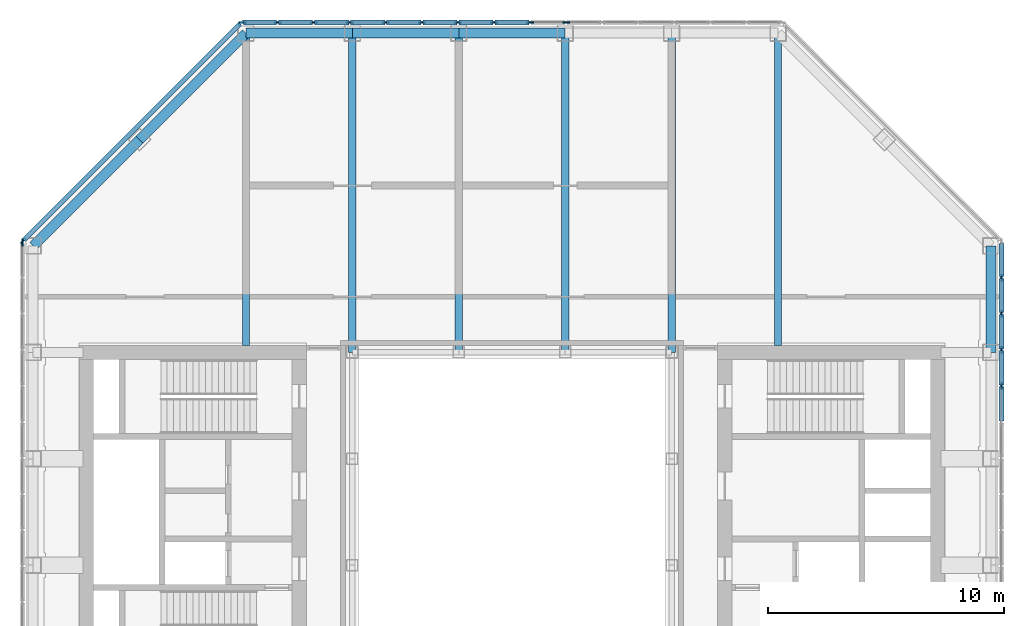
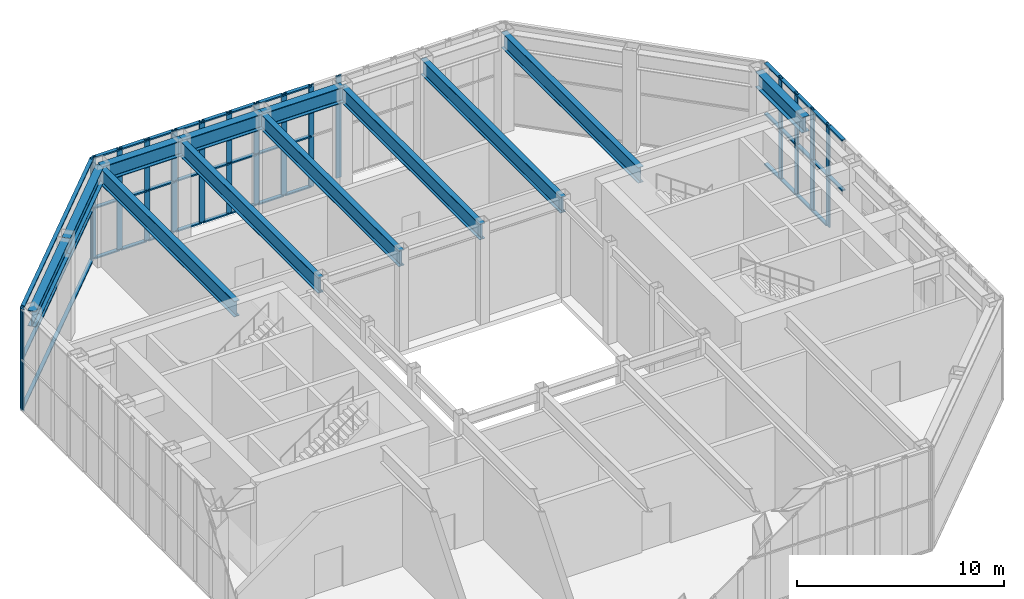
# One storey, part 5 of 12: 58 members, 12 beams, 4 elements without a shape of their own.
"""IFC4 building model written with IfcOpenShell, lengths in metres."""

import ifcopenshell
import ifcopenshell.guid

model = None  # the IFC model being written
_history = None  # IfcOwnerHistory: only IFC2X3 demands one
_inside = {}  # id of a spatial element -> (the spatial element, [elements in it])
_under = {}  # id of a project, library or spatial element -> (it, [spatial elements below it])
_declared = {}  # id of a project -> (the project, [libraries it declares])
_typed = {}  # id of a type object -> (the type object, [elements of that type])
_made_of = {}  # id of a material, layer set ... -> (it, [elements and type objects made of it])


def new_model(schema):
    """Start an empty IFC model of exactly this schema.

    Asked for "IFC4X3", IfcOpenShell would pick the latest addendum, in which some entities
    have other attributes; the version numbers below select the first issue.
    IFC2X3 requires an IfcOwnerHistory on every rooted entity: one is made here for all.
    """
    global model, _history
    if schema == "IFC4X3":
        model = ifcopenshell.file(schema_version=(4, 3, 0, 0))
    else:
        model = ifcopenshell.file(schema=schema)
    _inside.clear()
    _under.clear()
    _declared.clear()
    _typed.clear()
    _made_of.clear()
    _history = None
    if model.schema == "IFC2X3":
        org = make("IfcOrganization", Name="unknown")
        user = make(
            "IfcPersonAndOrganization",
            ThePerson=make("IfcPerson", FamilyName="unknown"),
            TheOrganization=org,
        )
        app = make(
            "IfcApplication",
            ApplicationDeveloper=org,
            Version="unknown",
            ApplicationFullName="unknown",
            ApplicationIdentifier="unknown",
        )
        _history = make(
            "IfcOwnerHistory",
            OwningUser=user,
            OwningApplication=app,
            ChangeAction="ADDED",
            CreationDate=0,
        )
    return model


def make(cls, **values):
    """One entity of the class cls with the attributes given. An attribute that is None is left unset."""
    return model.create_entity(
        cls, **{name: value for name, value in values.items() if value is not None}
    )


def rooted(cls, **values):
    """An entity with a GlobalId (a new one), such as an element, a storey or a relation."""
    return make(cls, GlobalId=ifcopenshell.guid.new(), OwnerHistory=_history, **values)


def si_unit(unit_type, name, prefix=None):
    """IfcSIUnit, for example si_unit("LENGTHUNIT", "METRE", prefix="MILLI")."""
    return make("IfcSIUnit", UnitType=unit_type, Prefix=prefix, Name=name)


def assignment(units):
    """IfcUnitAssignment: the units of a project."""
    return None if units is None else make("IfcUnitAssignment", Units=units)


def point(xyz):
    """IfcCartesianPoint."""
    return None if xyz is None else make("IfcCartesianPoint", Coordinates=xyz)


def direction(xyz):
    """IfcDirection."""
    return None if xyz is None else make("IfcDirection", DirectionRatios=xyz)


def frame(location, z_axis=None, x_axis=None):
    """IfcAxis2Placement3D, a coordinate frame: its origin and axes. An axis left out is left unset."""
    return make(
        "IfcAxis2Placement3D",
        Location=point(location),
        Axis=direction(z_axis),
        RefDirection=direction(x_axis),
    )


def frame_2d(location, x_axis=None):
    """IfcAxis2Placement2D, a coordinate frame in the plane: its origin and x axis."""
    return make(
        "IfcAxis2Placement2D", Location=point(location), RefDirection=direction(x_axis)
    )


def origin():
    """The frame at (0, 0, 0) with its axes left unset."""
    return frame((0.0, 0.0, 0.0))


def origin_2d():
    """The frame at (0, 0) in the plane with its x axis left unset."""
    return frame_2d((0.0, 0.0))


def place(relative_to, where):
    """IfcLocalPlacement: puts the frame where relative to a parent placement (None: the world)."""
    return make(
        "IfcLocalPlacement", PlacementRelTo=relative_to, RelativePlacement=where
    )


def context(
    kind, dimensions, precision=None, world=None, true_north=None, identifier=None
):
    """IfcGeometricRepresentationContext, for example the 3D "Model" context."""
    return make(
        "IfcGeometricRepresentationContext",
        ContextIdentifier=identifier,
        ContextType=kind,
        CoordinateSpaceDimension=dimensions,
        Precision=precision,
        WorldCoordinateSystem=world,
        TrueNorth=true_north,
    )


def subcontext(parent, identifier, kind, view, scale=None):
    """IfcGeometricRepresentationSubContext, for example "Body" below "Model"."""
    return make(
        "IfcGeometricRepresentationSubContext",
        ContextIdentifier=identifier,
        ContextType=kind,
        ParentContext=parent,
        TargetScale=scale,
        TargetView=view,
    )


def project(units=None, contexts=None):
    """IfcProject with its units and contexts."""
    return rooted(
        "IfcProject",
        Name="project",
        RepresentationContexts=contexts,
        UnitsInContext=assignment(units),
    )


def spatial(cls, under=None, at=None, **own):
    """A site, building, storey or space (cls), placed at a placement, below another one or the project."""
    s = rooted(cls, ObjectPlacement=at, **own)
    if under is not None:
        _under.setdefault(under.id(), (under, []))[1].append(s)
    return s


def profile(cls, at=None, kind="AREA", **sizes):
    """A parametric profile (cls). Its sizes go by their IFC names, for example OverallWidth=200.0."""
    return make(cls, ProfileType=kind, Position=at, **sizes)


def rectangle(**sizes):
    """IfcRectangleProfileDef."""
    return profile("IfcRectangleProfileDef", **sizes)


def i_section(**sizes):
    """IfcIShapeProfileDef."""
    return profile("IfcIShapeProfileDef", **sizes)


def extrude(swept, where, along, depth):
    """IfcExtrudedAreaSolid: the profile swept, set in the frame where, extruded along a direction by depth."""
    return make(
        "IfcExtrudedAreaSolid",
        SweptArea=swept,
        Position=where,
        ExtrudedDirection=direction(along),
        Depth=depth,
    )


def shape(context_of_items, identifier, shape_type, items):
    """IfcShapeRepresentation: the items that make up one representation, for example the "Body"."""
    return make(
        "IfcShapeRepresentation",
        ContextOfItems=context_of_items,
        RepresentationIdentifier=identifier,
        RepresentationType=shape_type,
        Items=items,
    )


def material(Name=None, Category=None):
    """IfcMaterial."""
    return make("IfcMaterial", Name=Name, Category=Category)


def material_profile(
    of_material, cross_section, Name=None, Category=None, Priority=None
):
    """IfcMaterialProfile: a cross section and its material."""
    return make(
        "IfcMaterialProfile",
        Name=Name,
        Material=of_material,
        Profile=cross_section,
        Priority=Priority,
        Category=Category,
    )


def profile_set(profiles, Name=None, composite=None):
    """IfcMaterialProfileSet."""
    return make(
        "IfcMaterialProfileSet",
        Name=Name,
        MaterialProfiles=profiles,
        CompositeProfile=composite,
    )


def made_of(thing, what):
    """Note that an element or type object is made of a material, layer set ...; save() writes the relation."""
    if what is not None:
        _made_of.setdefault(what.id(), (what, []))[1].append(thing)
    return thing


def type_object(cls, material=None, **own):
    """A type object (cls), such as IfcWallType, which elements share."""
    return made_of(rooted(cls, **own), material)


def element(
    cls,
    number,
    at=None,
    inside=None,
    cuts=None,
    type_object=None,
    material=None,
    context=None,
    identifier="Body",
    shape_type=None,
    held_by="IfcProductDefinitionShape",
    body=None,
    shapes=None,
    **own,
):
    """One element of the class cls, such as IfcWall. Its Tag is "e" and its number.

    at: its placement. inside: the storey or other place that contains it. cuts: it is an
    opening in that element (IfcRelVoidsElement). A single representation is given by context,
    identifier, shape_type and body (its items); several are given by shapes. held_by: the class
    of the entity that holds the representations. save() writes the other relations.
    """
    e = rooted(cls, Tag="e%d" % number, ObjectPlacement=at, **own)
    if body is not None:
        shapes = [shape(context, identifier, shape_type, body)]
    if shapes is not None:
        e.Representation = make(held_by, Representations=shapes)
    if inside is not None:
        _inside.setdefault(inside.id(), (inside, []))[1].append(e)
    if cuts is not None:
        rooted(
            "IfcRelVoidsElement", RelatingBuildingElement=cuts, RelatedOpeningElement=e
        )
    if type_object is not None:
        _typed.setdefault(type_object.id(), (type_object, []))[1].append(e)
    return made_of(e, material)


def aggregate(whole, parts):
    """IfcRelAggregates: a whole, such as a stair, and the parts it consists of."""
    return rooted("IfcRelAggregates", RelatingObject=whole, RelatedObjects=parts)


def save(model, path):
    """Write the relations noted so far, then the file.

    IfcRelAggregates (storeys below a building ...), IfcRelContainedInSpatialStructure (elements
    in a storey), IfcRelDefinesByType, IfcRelAssociatesMaterial and IfcRelDeclares: one each for
    every whole, place, type object, material and project.
    """
    for whole, parts in _under.values():
        aggregate(whole, parts)
    for where, things in _inside.values():
        rooted(
            "IfcRelContainedInSpatialStructure",
            RelatedElements=things,
            RelatingStructure=where,
        )
    for kind, things in _typed.values():
        rooted("IfcRelDefinesByType", RelatedObjects=things, RelatingType=kind)
    for what, things in _made_of.values():
        rooted("IfcRelAssociatesMaterial", RelatedObjects=things, RelatingMaterial=what)
    for by, libraries in _declared.values():
        rooted("IfcRelDeclares", RelatingContext=by, RelatedDefinitions=libraries)
    model.write(path)


model = new_model("IFC4")

# Units and contexts
model_context = context("Model", 3, precision=1e-05, world=origin(), true_north=direction((0.0, 1.0)))
body_context = subcontext(model_context, "Body", "Model", "MODEL_VIEW")
ifc_project = project(units=[si_unit("LENGTHUNIT", "METRE"), si_unit("AREAUNIT", "SQUARE_METRE"), si_unit("VOLUMEUNIT", "CUBIC_METRE"), si_unit("PLANEANGLEUNIT", "RADIAN"), si_unit("MASSUNIT", "GRAM", prefix="KILO")], contexts=[model_context])

# Site, building, storey
site_placement = place(None, origin())
site = spatial("IfcSite", under=ifc_project, at=site_placement, CompositionType="ELEMENT")
building_placement = place(site_placement, origin())
building = spatial("IfcBuilding", under=site, at=building_placement, Name="Msasa Ring Tower", CompositionType="ELEMENT")
storey_placement = place(building_placement, frame((0.0, 0.0, 262.050048828125)))
storey = spatial("IfcBuildingStorey", under=building, at=storey_placement, Name="L68", CompositionType="ELEMENT", Elevation=262.050048828125)

# Curtain wall, members
ifc_material_1 = material(Name="Aluminium curtain wall with clear glass", Category="aluminium")
curtain_wall_type = type_object("IfcCurtainWallType", Name="CW-L LANTERN CURTAIN WALL", PredefinedType="NOTDEFINED", material=ifc_material_1)
curtain_wall_1_placement = place(storey_placement, origin())
curtain_wall_1 = element("IfcCurtainWall", 1, at=curtain_wall_1_placement, inside=storey, type_object=curtain_wall_type, Name="Lantern curtain wall E L68", PredefinedType="NOTDEFINED")
ifc_material_2 = material(Name="Aluminium mullion", Category="aluminium")
ifc_material_profile_1 = material_profile(ifc_material_2, rectangle(XDim=0.080078125, YDim=0.300048828125, at=origin_2d()), Name="AL 80x300")
ifc_profile_set_1 = profile_set([ifc_material_profile_1], Name="Aluminium mullion")
member_type_1 = type_object("IfcMemberType", Name="CW-L MULLION 80x300", PredefinedType="MULLION", material=ifc_profile_set_1)
member_1_placement = place(storey_placement, frame((20.699951171875, 5.3369140625, 0.0), z_axis=(0.0, 0.0, 1.0), x_axis=(-1.0, 0.0, 0.0)))
member_1 = element("IfcMember", 2, at=member_1_placement, type_object=member_type_1, Name="CW-L mullion 12", PredefinedType="MULLION", context=body_context, shape_type="SweptSolid", body=[
    extrude(rectangle(XDim=0.080078125, YDim=0.300048828125, at=origin_2d()), origin(), (0.0, 0.0, 1.0), 6.0),
])
member_2_placement = place(storey_placement, frame((20.699951171875, 6.86181640625, 0.0), z_axis=(0.0, 0.0, 1.0), x_axis=(-1.0, 0.0, 0.0)))
member_2 = element("IfcMember", 3, at=member_2_placement, type_object=member_type_1, Name="CW-L mullion 13", PredefinedType="MULLION", context=body_context, shape_type="SweptSolid", body=[
    extrude(rectangle(XDim=0.080078125, YDim=0.300048828125, at=origin_2d()), origin(), (0.0, 0.0, 1.0), 6.0),
])
member_3_placement = place(storey_placement, frame((20.699951171875, 8.38671875, 0.0), z_axis=(0.0, 0.0, 1.0), x_axis=(-1.0, 0.0, 0.0)))
member_3 = element("IfcMember", 4, at=member_3_placement, type_object=member_type_1, Name="CW-L mullion 14", PredefinedType="MULLION", context=body_context, shape_type="SweptSolid", body=[
    extrude(rectangle(XDim=0.080078125, YDim=0.300048828125, at=origin_2d()), origin(), (0.0, 0.0, 1.0), 6.0),
])
member_4_placement = place(storey_placement, frame((20.699951171875, 9.91162109375, 0.0), z_axis=(0.0, 0.0, 1.0), x_axis=(-1.0, 0.0, 0.0)))
member_4 = element("IfcMember", 5, at=member_4_placement, type_object=member_type_1, Name="CW-L mullion 15", PredefinedType="MULLION", context=body_context, shape_type="SweptSolid", body=[
    extrude(rectangle(XDim=0.080078125, YDim=0.300048828125, at=origin_2d()), origin(), (0.0, 0.0, 1.0), 6.0),
])

curtain_wall_2_placement = place(storey_placement, origin())
curtain_wall_2 = element("IfcCurtainWall", 6, at=curtain_wall_2_placement, inside=storey, type_object=curtain_wall_type, Name="Lantern curtain wall N L68", PredefinedType="NOTDEFINED")
member_5_placement = place(storey_placement, frame((2.287353515625, 20.699951171875, 0.0), z_axis=(0.0, 0.0, 1.0), x_axis=(0.0, -1.0, 0.0)))
member_5 = element("IfcMember", 7, at=member_5_placement, type_object=member_type_1, Name="CW-L mullion 7", PredefinedType="MULLION", context=body_context, shape_type="SweptSolid", body=[
    extrude(rectangle(XDim=0.080078125, YDim=0.300048828125, at=origin_2d()), origin(), (0.0, 0.0, 1.0), 6.0),
])
member_6_placement = place(storey_placement, frame((0.762451171875, 20.699951171875, 0.0), z_axis=(0.0, 0.0, 1.0), x_axis=(0.0, -1.0, 0.0)))
member_6 = element("IfcMember", 8, at=member_6_placement, type_object=member_type_1, Name="CW-L mullion 8", PredefinedType="MULLION", context=body_context, shape_type="SweptSolid", body=[
    extrude(rectangle(XDim=0.080078125, YDim=0.300048828125, at=origin_2d()), origin(), (0.0, 0.0, 1.0), 6.0),
])
member_7_placement = place(storey_placement, frame((-0.762451171875, 20.699951171875, 0.0), z_axis=(0.0, 0.0, 1.0), x_axis=(0.0, -1.0, 0.0)))
member_7 = element("IfcMember", 9, at=member_7_placement, type_object=member_type_1, Name="CW-L mullion 9", PredefinedType="MULLION", context=body_context, shape_type="SweptSolid", body=[
    extrude(rectangle(XDim=0.080078125, YDim=0.300048828125, at=origin_2d()), origin(), (0.0, 0.0, 1.0), 6.0),
])
member_8_placement = place(storey_placement, frame((-2.287353515625, 20.699951171875, 0.0), z_axis=(0.0, 0.0, 1.0), x_axis=(0.0, -1.0, 0.0)))
member_8 = element("IfcMember", 10, at=member_8_placement, type_object=member_type_1, Name="CW-L mullion 10", PredefinedType="MULLION", context=body_context, shape_type="SweptSolid", body=[
    extrude(rectangle(XDim=0.080078125, YDim=0.300048828125, at=origin_2d()), origin(), (0.0, 0.0, 1.0), 6.0),
])
member_9_placement = place(storey_placement, frame((-3.81201171875, 20.699951171875, 0.0), z_axis=(0.0, 0.0, 1.0), x_axis=(0.0, -1.0, 0.0)))
member_9 = element("IfcMember", 11, at=member_9_placement, type_object=member_type_1, Name="CW-L mullion 11", PredefinedType="MULLION", context=body_context, shape_type="SweptSolid", body=[
    extrude(rectangle(XDim=0.080078125, YDim=0.300048828125, at=origin_2d()), origin(), (0.0, 0.0, 1.0), 6.0),
])
member_10_placement = place(storey_placement, frame((-5.3369140625, 20.699951171875, 0.0), z_axis=(0.0, 0.0, 1.0), x_axis=(0.0, -1.0, 0.0)))
member_10 = element("IfcMember", 12, at=member_10_placement, type_object=member_type_1, Name="CW-L mullion 12", PredefinedType="MULLION", context=body_context, shape_type="SweptSolid", body=[
    extrude(rectangle(XDim=0.080078125, YDim=0.300048828125, at=origin_2d()), origin(), (0.0, 0.0, 1.0), 6.0),
])
member_11_placement = place(storey_placement, frame((-6.86181640625, 20.699951171875, 0.0), z_axis=(0.0, 0.0, 1.0), x_axis=(0.0, -1.0, 0.0)))
member_11 = element("IfcMember", 13, at=member_11_placement, type_object=member_type_1, Name="CW-L mullion 13", PredefinedType="MULLION", context=body_context, shape_type="SweptSolid", body=[
    extrude(rectangle(XDim=0.080078125, YDim=0.300048828125, at=origin_2d()), origin(), (0.0, 0.0, 1.0), 6.0),
])
member_12_placement = place(storey_placement, frame((-8.38671875, 20.699951171875, 0.0), z_axis=(0.0, 0.0, 1.0), x_axis=(0.0, -1.0, 0.0)))
member_12 = element("IfcMember", 14, at=member_12_placement, type_object=member_type_1, Name="CW-L mullion 14", PredefinedType="MULLION", context=body_context, shape_type="SweptSolid", body=[
    extrude(rectangle(XDim=0.080078125, YDim=0.300048828125, at=origin_2d()), origin(), (0.0, 0.0, 1.0), 6.0),
])
member_13_placement = place(storey_placement, frame((-9.91162109375, 20.699951171875, 0.0), z_axis=(0.0, 0.0, 1.0), x_axis=(0.0, -1.0, 0.0)))
member_13 = element("IfcMember", 15, at=member_13_placement, type_object=member_type_1, Name="CW-L mullion 15", PredefinedType="MULLION", context=body_context, shape_type="SweptSolid", body=[
    extrude(rectangle(XDim=0.080078125, YDim=0.300048828125, at=origin_2d()), origin(), (0.0, 0.0, 1.0), 6.0),
])
member_14_placement = place(storey_placement, frame((-11.396484375, 20.699951171875, 0.0), z_axis=(0.0, 0.0, 1.0), x_axis=(0.0, -1.0, 0.0)))
member_14 = element("IfcMember", 16, at=member_14_placement, type_object=member_type_1, Name="CW-L mullion 16", PredefinedType="MULLION", context=body_context, shape_type="SweptSolid", body=[
    extrude(rectangle(XDim=0.080078125, YDim=0.300048828125, at=origin_2d()), origin(), (0.0, 0.0, 1.0), 6.0),
])

curtain_wall_3_placement = place(storey_placement, origin())
curtain_wall_3 = element("IfcCurtainWall", 17, at=curtain_wall_3_placement, inside=storey, type_object=curtain_wall_type, Name="Lantern curtain wall NW L68", PredefinedType="NOTDEFINED")
member_15_placement = place(storey_placement, frame((-11.464599609375, 20.671630859375, 0.0), z_axis=(0.0, 0.0, 1.0), x_axis=(0.707106781187, -0.707106781187, 0.0)))
member_15 = element("IfcMember", 18, at=member_15_placement, type_object=member_type_1, Name="CW-L mullion 1", PredefinedType="MULLION", context=body_context, shape_type="SweptSolid", body=[
    extrude(rectangle(XDim=0.080078125, YDim=0.300048828125, at=origin_2d()), origin(), (0.0, 0.0, 1.0), 6.0),
])
member_16_placement = place(storey_placement, frame((-20.671630859375, 11.464599609375, 0.0), z_axis=(0.0, 0.0, 1.0), x_axis=(0.707106781187, -0.707106781187, 0.0)))
member_16 = element("IfcMember", 19, at=member_16_placement, type_object=member_type_1, Name="CW-L mullion 2", PredefinedType="MULLION", context=body_context, shape_type="SweptSolid", body=[
    extrude(rectangle(XDim=0.080078125, YDim=0.300048828125, at=origin_2d()), origin(), (0.0, 0.0, 1.0), 6.0),
])

# Curtain wall, member
curtain_wall_4_placement = place(storey_placement, origin())
curtain_wall_4 = element("IfcCurtainWall", 20, at=curtain_wall_4_placement, inside=storey, type_object=curtain_wall_type, Name="Lantern curtain wall W L68", PredefinedType="NOTDEFINED")
member_17_placement = place(storey_placement, frame((-20.699951171875, 11.396484375, 0.0), z_axis=(0.0, 0.0, 1.0), x_axis=(1.0, 0.0, 0.0)))
member_17 = element("IfcMember", 21, at=member_17_placement, type_object=member_type_1, Name="CW-L mullion 1", PredefinedType="MULLION", context=body_context, shape_type="SweptSolid", body=[
    extrude(rectangle(XDim=0.080078125, YDim=0.300048828125, at=origin_2d()), origin(), (0.0, 0.0, 1.0), 6.0),
])
aggregate(curtain_wall_4, [member_17])

# Member
ifc_material_3 = material(Name="Aluminium transom", Category="aluminium")
ifc_material_profile_2 = material_profile(ifc_material_3, rectangle(XDim=0.199951171875, YDim=0.080078125, at=origin_2d()), Name="AL 80x200")
ifc_profile_set_2 = profile_set([ifc_material_profile_2], Name="Aluminium transom")
member_type_2 = type_object("IfcMemberType", Name="CW-L TRANSOM 80x200", PredefinedType="USERDEFINED", material=ifc_profile_set_2)
member_18_placement = place(storey_placement, frame((20.699951171875, 3.85205078125, 3.0), z_axis=(0.0, 1.0, 0.0), x_axis=(-1.0, 0.0, 0.0)))
member_18 = element("IfcMember", 22, at=member_18_placement, type_object=member_type_2, Name="CW-L transom 11.2", ObjectType="TRANSOM", PredefinedType="USERDEFINED", context=body_context, shape_type="SweptSolid", body=[
    extrude(rectangle(XDim=0.199951171875, YDim=0.080078125, at=origin_2d()), origin(), (0.0, 0.0, 1.0), 1.44482421875),
])

member_19_placement = place(storey_placement, frame((20.699951171875, 3.85205078125, 5.9599609375), z_axis=(0.0, 1.0, 0.0), x_axis=(-1.0, 0.0, 0.0)))
member_19 = element("IfcMember", 23, at=member_19_placement, type_object=member_type_2, Name="CW-L transom 11.3", ObjectType="TRANSOM", PredefinedType="USERDEFINED", context=body_context, shape_type="SweptSolid", body=[
    extrude(rectangle(XDim=0.199951171875, YDim=0.080078125, at=origin_2d()), origin(), (0.0, 0.0, 1.0), 1.44482421875),
])

member_20_placement = place(storey_placement, frame((20.699951171875, 5.376953125, 0.0400390625), z_axis=(0.0, 1.0, 0.0), x_axis=(-1.0, 0.0, 0.0)))
member_20 = element("IfcMember", 24, at=member_20_placement, type_object=member_type_2, Name="CW-L transom 12.1", ObjectType="TRANSOM", PredefinedType="USERDEFINED", context=body_context, shape_type="SweptSolid", body=[
    extrude(rectangle(XDim=0.199951171875, YDim=0.080078125, at=origin_2d()), origin(), (0.0, 0.0, 1.0), 1.44482421875),
])

member_21_placement = place(storey_placement, frame((20.699951171875, 5.376953125, 3.0), z_axis=(0.0, 1.0, 0.0), x_axis=(-1.0, 0.0, 0.0)))
member_21 = element("IfcMember", 25, at=member_21_placement, type_object=member_type_2, Name="CW-L transom 12.2", ObjectType="TRANSOM", PredefinedType="USERDEFINED", context=body_context, shape_type="SweptSolid", body=[
    extrude(rectangle(XDim=0.199951171875, YDim=0.080078125, at=origin_2d()), origin(), (0.0, 0.0, 1.0), 1.44482421875),
])

member_22_placement = place(storey_placement, frame((20.699951171875, 5.376953125, 5.9599609375), z_axis=(0.0, 1.0, 0.0), x_axis=(-1.0, 0.0, 0.0)))
member_22 = element("IfcMember", 26, at=member_22_placement, type_object=member_type_2, Name="CW-L transom 12.3", ObjectType="TRANSOM", PredefinedType="USERDEFINED", context=body_context, shape_type="SweptSolid", body=[
    extrude(rectangle(XDim=0.199951171875, YDim=0.080078125, at=origin_2d()), origin(), (0.0, 0.0, 1.0), 1.44482421875),
])

member_23_placement = place(storey_placement, frame((20.699951171875, 6.90185546875, 0.0400390625), z_axis=(0.0, 1.0, 0.0), x_axis=(-1.0, 0.0, 0.0)))
member_23 = element("IfcMember", 27, at=member_23_placement, type_object=member_type_2, Name="CW-L transom 13.1", ObjectType="TRANSOM", PredefinedType="USERDEFINED", context=body_context, shape_type="SweptSolid", body=[
    extrude(rectangle(XDim=0.199951171875, YDim=0.080078125, at=origin_2d()), origin(), (0.0, 0.0, 1.0), 1.44482421875),
])

member_24_placement = place(storey_placement, frame((20.699951171875, 6.90185546875, 3.0), z_axis=(0.0, 1.0, 0.0), x_axis=(-1.0, 0.0, 0.0)))
member_24 = element("IfcMember", 28, at=member_24_placement, type_object=member_type_2, Name="CW-L transom 13.2", ObjectType="TRANSOM", PredefinedType="USERDEFINED", context=body_context, shape_type="SweptSolid", body=[
    extrude(rectangle(XDim=0.199951171875, YDim=0.080078125, at=origin_2d()), origin(), (0.0, 0.0, 1.0), 1.44482421875),
])

member_25_placement = place(storey_placement, frame((20.699951171875, 6.90185546875, 5.9599609375), z_axis=(0.0, 1.0, 0.0), x_axis=(-1.0, 0.0, 0.0)))
member_25 = element("IfcMember", 29, at=member_25_placement, type_object=member_type_2, Name="CW-L transom 13.3", ObjectType="TRANSOM", PredefinedType="USERDEFINED", context=body_context, shape_type="SweptSolid", body=[
    extrude(rectangle(XDim=0.199951171875, YDim=0.080078125, at=origin_2d()), origin(), (0.0, 0.0, 1.0), 1.44482421875),
])

member_26_placement = place(storey_placement, frame((20.699951171875, 8.4267578125, 0.0400390625), z_axis=(0.0, 1.0, 0.0), x_axis=(-1.0, 0.0, 0.0)))
member_26 = element("IfcMember", 30, at=member_26_placement, type_object=member_type_2, Name="CW-L transom 14.1", ObjectType="TRANSOM", PredefinedType="USERDEFINED", context=body_context, shape_type="SweptSolid", body=[
    extrude(rectangle(XDim=0.199951171875, YDim=0.080078125, at=origin_2d()), origin(), (0.0, 0.0, 1.0), 1.44482421875),
])

member_27_placement = place(storey_placement, frame((20.699951171875, 8.4267578125, 3.0), z_axis=(0.0, 1.0, 0.0), x_axis=(-1.0, 0.0, 0.0)))
member_27 = element("IfcMember", 31, at=member_27_placement, type_object=member_type_2, Name="CW-L transom 14.2", ObjectType="TRANSOM", PredefinedType="USERDEFINED", context=body_context, shape_type="SweptSolid", body=[
    extrude(rectangle(XDim=0.199951171875, YDim=0.080078125, at=origin_2d()), origin(), (0.0, 0.0, 1.0), 1.44482421875),
])

member_28_placement = place(storey_placement, frame((20.699951171875, 8.4267578125, 5.9599609375), z_axis=(0.0, 1.0, 0.0), x_axis=(-1.0, 0.0, 0.0)))
member_28 = element("IfcMember", 32, at=member_28_placement, type_object=member_type_2, Name="CW-L transom 14.3", ObjectType="TRANSOM", PredefinedType="USERDEFINED", context=body_context, shape_type="SweptSolid", body=[
    extrude(rectangle(XDim=0.199951171875, YDim=0.080078125, at=origin_2d()), origin(), (0.0, 0.0, 1.0), 1.44482421875),
])

member_29_placement = place(storey_placement, frame((20.699951171875, 9.95166015625, 0.0400390625), z_axis=(0.0, 1.0, 0.0), x_axis=(-1.0, 0.0, 0.0)))
member_29 = element("IfcMember", 33, at=member_29_placement, type_object=member_type_2, Name="CW-L transom 15.1", ObjectType="TRANSOM", PredefinedType="USERDEFINED", context=body_context, shape_type="SweptSolid", body=[
    extrude(rectangle(XDim=0.199951171875, YDim=0.080078125, at=origin_2d()), origin(), (0.0, 0.0, 1.0), 1.40478515625),
])

member_30_placement = place(storey_placement, frame((20.699951171875, 9.95166015625, 3.0), z_axis=(0.0, 1.0, 0.0), x_axis=(-1.0, 0.0, 0.0)))
member_30 = element("IfcMember", 34, at=member_30_placement, type_object=member_type_2, Name="CW-L transom 15.2", ObjectType="TRANSOM", PredefinedType="USERDEFINED", context=body_context, shape_type="SweptSolid", body=[
    extrude(rectangle(XDim=0.199951171875, YDim=0.080078125, at=origin_2d()), origin(), (0.0, 0.0, 1.0), 1.40478515625),
])

member_31_placement = place(storey_placement, frame((20.699951171875, 9.95166015625, 5.9599609375), z_axis=(0.0, 1.0, 0.0), x_axis=(-1.0, 0.0, 0.0)))
member_31 = element("IfcMember", 35, at=member_31_placement, type_object=member_type_2, Name="CW-L transom 15.3", ObjectType="TRANSOM", PredefinedType="USERDEFINED", context=body_context, shape_type="SweptSolid", body=[
    extrude(rectangle(XDim=0.199951171875, YDim=0.080078125, at=origin_2d()), origin(), (0.0, 0.0, 1.0), 1.40478515625),
])

aggregate(curtain_wall_1, [member_1, member_2, member_3, member_4, member_18, member_19, member_20, member_21, member_22, member_23, member_24, member_25, member_26, member_27, member_28, member_29, member_30, member_31])

member_32_placement = place(storey_placement, frame((0.722412109375, 20.699951171875, 0.0400390625), z_axis=(-1.0, 0.0, 0.0), x_axis=(0.0, -1.0, 0.0)))
member_32 = element("IfcMember", 36, at=member_32_placement, type_object=member_type_2, Name="CW-L transom 8.1", ObjectType="TRANSOM", PredefinedType="USERDEFINED", context=body_context, shape_type="SweptSolid", body=[
    extrude(rectangle(XDim=0.199951171875, YDim=0.080078125, at=origin_2d()), origin(), (0.0, 0.0, 1.0), 1.44482421875),
])

member_33_placement = place(storey_placement, frame((0.722412109375, 20.699951171875, 3.0), z_axis=(-1.0, 0.0, 0.0), x_axis=(0.0, -1.0, 0.0)))
member_33 = element("IfcMember", 37, at=member_33_placement, type_object=member_type_2, Name="CW-L transom 8.2", ObjectType="TRANSOM", PredefinedType="USERDEFINED", context=body_context, shape_type="SweptSolid", body=[
    extrude(rectangle(XDim=0.199951171875, YDim=0.080078125, at=origin_2d()), origin(), (0.0, 0.0, 1.0), 1.44482421875),
])

member_34_placement = place(storey_placement, frame((0.722412109375, 20.699951171875, 5.9599609375), z_axis=(-1.0, 0.0, 0.0), x_axis=(0.0, -1.0, 0.0)))
member_34 = element("IfcMember", 38, at=member_34_placement, type_object=member_type_2, Name="CW-L transom 8.3", ObjectType="TRANSOM", PredefinedType="USERDEFINED", context=body_context, shape_type="SweptSolid", body=[
    extrude(rectangle(XDim=0.199951171875, YDim=0.080078125, at=origin_2d()), origin(), (0.0, 0.0, 1.0), 1.44482421875),
])

member_35_placement = place(storey_placement, frame((-0.802490234375, 20.699951171875, 0.0400390625), z_axis=(-1.0, 0.0, 0.0), x_axis=(0.0, -1.0, 0.0)))
member_35 = element("IfcMember", 39, at=member_35_placement, type_object=member_type_2, Name="CW-L transom 9.1", ObjectType="TRANSOM", PredefinedType="USERDEFINED", context=body_context, shape_type="SweptSolid", body=[
    extrude(rectangle(XDim=0.199951171875, YDim=0.080078125, at=origin_2d()), origin(), (0.0, 0.0, 1.0), 1.44482421875),
])

member_36_placement = place(storey_placement, frame((-0.802490234375, 20.699951171875, 3.0), z_axis=(-1.0, 0.0, 0.0), x_axis=(0.0, -1.0, 0.0)))
member_36 = element("IfcMember", 40, at=member_36_placement, type_object=member_type_2, Name="CW-L transom 9.2", ObjectType="TRANSOM", PredefinedType="USERDEFINED", context=body_context, shape_type="SweptSolid", body=[
    extrude(rectangle(XDim=0.199951171875, YDim=0.080078125, at=origin_2d()), origin(), (0.0, 0.0, 1.0), 1.44482421875),
])

member_37_placement = place(storey_placement, frame((-0.802490234375, 20.699951171875, 5.9599609375), z_axis=(-1.0, 0.0, 0.0), x_axis=(0.0, -1.0, 0.0)))
member_37 = element("IfcMember", 41, at=member_37_placement, type_object=member_type_2, Name="CW-L transom 9.3", ObjectType="TRANSOM", PredefinedType="USERDEFINED", context=body_context, shape_type="SweptSolid", body=[
    extrude(rectangle(XDim=0.199951171875, YDim=0.080078125, at=origin_2d()), origin(), (0.0, 0.0, 1.0), 1.44482421875),
])

member_38_placement = place(storey_placement, frame((-2.327392578125, 20.699951171875, 0.0400390625), z_axis=(-1.0, 0.0, 0.0), x_axis=(0.0, -1.0, 0.0)))
member_38 = element("IfcMember", 42, at=member_38_placement, type_object=member_type_2, Name="CW-L transom 10.1", ObjectType="TRANSOM", PredefinedType="USERDEFINED", context=body_context, shape_type="SweptSolid", body=[
    extrude(rectangle(XDim=0.199951171875, YDim=0.080078125, at=origin_2d()), origin(), (0.0, 0.0, 1.0), 1.44482421875),
])

member_39_placement = place(storey_placement, frame((-2.327392578125, 20.699951171875, 3.0), z_axis=(-1.0, 0.0, 0.0), x_axis=(0.0, -1.0, 0.0)))
member_39 = element("IfcMember", 43, at=member_39_placement, type_object=member_type_2, Name="CW-L transom 10.2", ObjectType="TRANSOM", PredefinedType="USERDEFINED", context=body_context, shape_type="SweptSolid", body=[
    extrude(rectangle(XDim=0.199951171875, YDim=0.080078125, at=origin_2d()), origin(), (0.0, 0.0, 1.0), 1.44482421875),
])

member_40_placement = place(storey_placement, frame((-2.327392578125, 20.699951171875, 5.9599609375), z_axis=(-1.0, 0.0, 0.0), x_axis=(0.0, -1.0, 0.0)))
member_40 = element("IfcMember", 44, at=member_40_placement, type_object=member_type_2, Name="CW-L transom 10.3", ObjectType="TRANSOM", PredefinedType="USERDEFINED", context=body_context, shape_type="SweptSolid", body=[
    extrude(rectangle(XDim=0.199951171875, YDim=0.080078125, at=origin_2d()), origin(), (0.0, 0.0, 1.0), 1.44482421875),
])

member_41_placement = place(storey_placement, frame((-3.85205078125, 20.699951171875, 0.0400390625), z_axis=(-1.0, 0.0, 0.0), x_axis=(0.0, -1.0, 0.0)))
member_41 = element("IfcMember", 45, at=member_41_placement, type_object=member_type_2, Name="CW-L transom 11.1", ObjectType="TRANSOM", PredefinedType="USERDEFINED", context=body_context, shape_type="SweptSolid", body=[
    extrude(rectangle(XDim=0.199951171875, YDim=0.080078125, at=origin_2d()), origin(), (0.0, 0.0, 1.0), 1.44482421875),
])

member_42_placement = place(storey_placement, frame((-3.85205078125, 20.699951171875, 3.0), z_axis=(-1.0, 0.0, 0.0), x_axis=(0.0, -1.0, 0.0)))
member_42 = element("IfcMember", 46, at=member_42_placement, type_object=member_type_2, Name="CW-L transom 11.2", ObjectType="TRANSOM", PredefinedType="USERDEFINED", context=body_context, shape_type="SweptSolid", body=[
    extrude(rectangle(XDim=0.199951171875, YDim=0.080078125, at=origin_2d()), origin(), (0.0, 0.0, 1.0), 1.44482421875),
])

member_43_placement = place(storey_placement, frame((-3.85205078125, 20.699951171875, 5.9599609375), z_axis=(-1.0, 0.0, 0.0), x_axis=(0.0, -1.0, 0.0)))
member_43 = element("IfcMember", 47, at=member_43_placement, type_object=member_type_2, Name="CW-L transom 11.3", ObjectType="TRANSOM", PredefinedType="USERDEFINED", context=body_context, shape_type="SweptSolid", body=[
    extrude(rectangle(XDim=0.199951171875, YDim=0.080078125, at=origin_2d()), origin(), (0.0, 0.0, 1.0), 1.44482421875),
])

member_44_placement = place(storey_placement, frame((-5.376953125, 20.699951171875, 0.0400390625), z_axis=(-1.0, 0.0, 0.0), x_axis=(0.0, -1.0, 0.0)))
member_44 = element("IfcMember", 48, at=member_44_placement, type_object=member_type_2, Name="CW-L transom 12.1", ObjectType="TRANSOM", PredefinedType="USERDEFINED", context=body_context, shape_type="SweptSolid", body=[
    extrude(rectangle(XDim=0.199951171875, YDim=0.080078125, at=origin_2d()), origin(), (0.0, 0.0, 1.0), 1.44482421875),
])

member_45_placement = place(storey_placement, frame((-5.376953125, 20.699951171875, 3.0), z_axis=(-1.0, 0.0, 0.0), x_axis=(0.0, -1.0, 0.0)))
member_45 = element("IfcMember", 49, at=member_45_placement, type_object=member_type_2, Name="CW-L transom 12.2", ObjectType="TRANSOM", PredefinedType="USERDEFINED", context=body_context, shape_type="SweptSolid", body=[
    extrude(rectangle(XDim=0.199951171875, YDim=0.080078125, at=origin_2d()), origin(), (0.0, 0.0, 1.0), 1.44482421875),
])

member_46_placement = place(storey_placement, frame((-5.376953125, 20.699951171875, 5.9599609375), z_axis=(-1.0, 0.0, 0.0), x_axis=(0.0, -1.0, 0.0)))
member_46 = element("IfcMember", 50, at=member_46_placement, type_object=member_type_2, Name="CW-L transom 12.3", ObjectType="TRANSOM", PredefinedType="USERDEFINED", context=body_context, shape_type="SweptSolid", body=[
    extrude(rectangle(XDim=0.199951171875, YDim=0.080078125, at=origin_2d()), origin(), (0.0, 0.0, 1.0), 1.44482421875),
])

member_47_placement = place(storey_placement, frame((-6.90185546875, 20.699951171875, 0.0400390625), z_axis=(-1.0, 0.0, 0.0), x_axis=(0.0, -1.0, 0.0)))
member_47 = element("IfcMember", 51, at=member_47_placement, type_object=member_type_2, Name="CW-L transom 13.1", ObjectType="TRANSOM", PredefinedType="USERDEFINED", context=body_context, shape_type="SweptSolid", body=[
    extrude(rectangle(XDim=0.199951171875, YDim=0.080078125, at=origin_2d()), origin(), (0.0, 0.0, 1.0), 1.44482421875),
])

member_48_placement = place(storey_placement, frame((-6.90185546875, 20.699951171875, 3.0), z_axis=(-1.0, 0.0, 0.0), x_axis=(0.0, -1.0, 0.0)))
member_48 = element("IfcMember", 52, at=member_48_placement, type_object=member_type_2, Name="CW-L transom 13.2", ObjectType="TRANSOM", PredefinedType="USERDEFINED", context=body_context, shape_type="SweptSolid", body=[
    extrude(rectangle(XDim=0.199951171875, YDim=0.080078125, at=origin_2d()), origin(), (0.0, 0.0, 1.0), 1.44482421875),
])

member_49_placement = place(storey_placement, frame((-6.90185546875, 20.699951171875, 5.9599609375), z_axis=(-1.0, 0.0, 0.0), x_axis=(0.0, -1.0, 0.0)))
member_49 = element("IfcMember", 53, at=member_49_placement, type_object=member_type_2, Name="CW-L transom 13.3", ObjectType="TRANSOM", PredefinedType="USERDEFINED", context=body_context, shape_type="SweptSolid", body=[
    extrude(rectangle(XDim=0.199951171875, YDim=0.080078125, at=origin_2d()), origin(), (0.0, 0.0, 1.0), 1.44482421875),
])

member_50_placement = place(storey_placement, frame((-8.4267578125, 20.699951171875, 0.0400390625), z_axis=(-1.0, 0.0, 0.0), x_axis=(0.0, -1.0, 0.0)))
member_50 = element("IfcMember", 54, at=member_50_placement, type_object=member_type_2, Name="CW-L transom 14.1", ObjectType="TRANSOM", PredefinedType="USERDEFINED", context=body_context, shape_type="SweptSolid", body=[
    extrude(rectangle(XDim=0.199951171875, YDim=0.080078125, at=origin_2d()), origin(), (0.0, 0.0, 1.0), 1.44482421875),
])

member_51_placement = place(storey_placement, frame((-8.4267578125, 20.699951171875, 3.0), z_axis=(-1.0, 0.0, 0.0), x_axis=(0.0, -1.0, 0.0)))
member_51 = element("IfcMember", 55, at=member_51_placement, type_object=member_type_2, Name="CW-L transom 14.2", ObjectType="TRANSOM", PredefinedType="USERDEFINED", context=body_context, shape_type="SweptSolid", body=[
    extrude(rectangle(XDim=0.199951171875, YDim=0.080078125, at=origin_2d()), origin(), (0.0, 0.0, 1.0), 1.44482421875),
])

member_52_placement = place(storey_placement, frame((-8.4267578125, 20.699951171875, 5.9599609375), z_axis=(-1.0, 0.0, 0.0), x_axis=(0.0, -1.0, 0.0)))
member_52 = element("IfcMember", 56, at=member_52_placement, type_object=member_type_2, Name="CW-L transom 14.3", ObjectType="TRANSOM", PredefinedType="USERDEFINED", context=body_context, shape_type="SweptSolid", body=[
    extrude(rectangle(XDim=0.199951171875, YDim=0.080078125, at=origin_2d()), origin(), (0.0, 0.0, 1.0), 1.44482421875),
])

member_53_placement = place(storey_placement, frame((-9.95166015625, 20.699951171875, 0.0400390625), z_axis=(-1.0, 0.0, 0.0), x_axis=(0.0, -1.0, 0.0)))
member_53 = element("IfcMember", 57, at=member_53_placement, type_object=member_type_2, Name="CW-L transom 15.1", ObjectType="TRANSOM", PredefinedType="USERDEFINED", context=body_context, shape_type="SweptSolid", body=[
    extrude(rectangle(XDim=0.199951171875, YDim=0.080078125, at=origin_2d()), origin(), (0.0, 0.0, 1.0), 1.40478515625),
])

member_54_placement = place(storey_placement, frame((-9.95166015625, 20.699951171875, 3.0), z_axis=(-1.0, 0.0, 0.0), x_axis=(0.0, -1.0, 0.0)))
member_54 = element("IfcMember", 58, at=member_54_placement, type_object=member_type_2, Name="CW-L transom 15.2", ObjectType="TRANSOM", PredefinedType="USERDEFINED", context=body_context, shape_type="SweptSolid", body=[
    extrude(rectangle(XDim=0.199951171875, YDim=0.080078125, at=origin_2d()), origin(), (0.0, 0.0, 1.0), 1.40478515625),
])

member_55_placement = place(storey_placement, frame((-9.95166015625, 20.699951171875, 5.9599609375), z_axis=(-1.0, 0.0, 0.0), x_axis=(0.0, -1.0, 0.0)))
member_55 = element("IfcMember", 59, at=member_55_placement, type_object=member_type_2, Name="CW-L transom 15.3", ObjectType="TRANSOM", PredefinedType="USERDEFINED", context=body_context, shape_type="SweptSolid", body=[
    extrude(rectangle(XDim=0.199951171875, YDim=0.080078125, at=origin_2d()), origin(), (0.0, 0.0, 1.0), 1.40478515625),
])

aggregate(curtain_wall_2, [member_5, member_6, member_7, member_8, member_9, member_10, member_11, member_12, member_13, member_14, member_32, member_33, member_34, member_35, member_36, member_37, member_38, member_39, member_40, member_41, member_42, member_43, member_44, member_45, member_46, member_47, member_48, member_49, member_50, member_51, member_52, member_53, member_54, member_55])

member_56_placement = place(storey_placement, frame((-11.492919921875, 20.643310546875, 0.0400390625), z_axis=(-0.707106781187, -0.707106781187, 0.0), x_axis=(0.707106781187, -0.707106781187, 0.0)))
member_56 = element("IfcMember", 60, at=member_56_placement, type_object=member_type_2, Name="CW-L transom 1.1", ObjectType="TRANSOM", PredefinedType="USERDEFINED", context=body_context, shape_type="SweptSolid", body=[
    extrude(rectangle(XDim=0.199951171875, YDim=0.080078125, at=origin_2d()), origin(), (0.0, 0.0, 1.0), 12.940673828125),
])

member_57_placement = place(storey_placement, frame((-11.492919921875, 20.643310546875, 3.0), z_axis=(-0.707106781187, -0.707106781187, 0.0), x_axis=(0.707106781187, -0.707106781187, 0.0)))
member_57 = element("IfcMember", 61, at=member_57_placement, type_object=member_type_2, Name="CW-L transom 1.2", ObjectType="TRANSOM", PredefinedType="USERDEFINED", context=body_context, shape_type="SweptSolid", body=[
    extrude(rectangle(XDim=0.199951171875, YDim=0.080078125, at=origin_2d()), origin(), (0.0, 0.0, 1.0), 12.940673828125),
])

member_58_placement = place(storey_placement, frame((-11.492919921875, 20.643310546875, 5.9599609375), z_axis=(-0.707106781187, -0.707106781187, 0.0), x_axis=(0.707106781187, -0.707106781187, 0.0)))
member_58 = element("IfcMember", 62, at=member_58_placement, type_object=member_type_2, Name="CW-L transom 1.3", ObjectType="TRANSOM", PredefinedType="USERDEFINED", context=body_context, shape_type="SweptSolid", body=[
    extrude(rectangle(XDim=0.199951171875, YDim=0.080078125, at=origin_2d()), origin(), (0.0, 0.0, 1.0), 12.940673828125),
])

aggregate(curtain_wall_3, [member_15, member_16, member_56, member_57, member_58])

# Beams
ifc_material_4 = material(Name="Steel S355", Category="steel")
ifc_material_profile_3 = material_profile(ifc_material_4, i_section(OverallWidth=0.3076171875, OverallDepth=0.926513671875, WebThickness=0.01953125, FlangeThickness=0.031982421875, FilletRadius=0.01904296875, at=origin_2d()), Name="UB 914x305x289")
ifc_profile_set_3 = profile_set([ifc_material_profile_3], Name="Steel S355")
beam_type_1 = type_object("IfcBeamType", Name="FB3 UB 914x305x289", PredefinedType="BEAM", material=ifc_profile_set_3)
beam_1_placement = place(storey_placement, frame((-11.25, 20.25, 5.28662109375), z_axis=(0.0, -1.0, 0.0), x_axis=(1.0, 0.0, 0.0)))
element("IfcBeam", 63, at=beam_1_placement, inside=storey, type_object=beam_type_1, Name="Floor beam N-11.25 under L69", PredefinedType="BEAM", context=body_context, shape_type="SweptSolid", body=[
    extrude(i_section(OverallWidth=0.3076171875, OverallDepth=0.926513671875, WebThickness=0.01953125, FlangeThickness=0.031982421875, FilletRadius=0.01904296875, at=origin_2d()), origin(), (0.0, 0.0, 1.0), 13.199951171875),
])
for number, where, z_axis, x_axis, name in (
    (64, (-6.75, 20.25, 5.28662109375), (0.0, -1.0, 0.0), (1.0, 0.0, 0.0), "Floor beam N-6.75 under L69"),
    (65, (-2.25, 20.25, 5.28662109375), (0.0, -1.0, 0.0), (1.0, 0.0, 0.0), "Floor beam N-2.25 under L69"),
    (66, (2.25, 20.25, 5.28662109375), (0.0, -1.0, 0.0), (1.0, 0.0, 0.0), "Floor beam N+2.25 under L69"),
    (67, (6.75, 20.25, 5.28662109375), (0.0, -1.0, 0.0), (1.0, 0.0, 0.0), "Floor beam N+6.75 under L69"),
):
    element("IfcBeam", number, at=place(storey_placement, frame(where, z_axis=z_axis, x_axis=x_axis)), inside=storey, type_object=beam_type_1, Name=name, PredefinedType="BEAM", context=body_context, shape_type="SweptSolid", body=[
        extrude(i_section(OverallWidth=0.3076171875, OverallDepth=0.926513671875, WebThickness=0.01953125, FlangeThickness=0.031982421875, FilletRadius=0.01904296875, at=origin_2d()), origin(), (0.0, 0.0, 1.0), 13.5),
    ])
beam_2_placement = place(storey_placement, frame((11.25, 20.25, 5.28662109375), z_axis=(0.0, -1.0, 0.0), x_axis=(1.0, 0.0, 0.0)))
element("IfcBeam", 68, at=beam_2_placement, inside=storey, type_object=beam_type_1, Name="Floor beam N+11.25 under L69", PredefinedType="BEAM", context=body_context, shape_type="SweptSolid", body=[
    extrude(i_section(OverallWidth=0.3076171875, OverallDepth=0.926513671875, WebThickness=0.01953125, FlangeThickness=0.031982421875, FilletRadius=0.01904296875, at=origin_2d()), origin(), (0.0, 0.0, 1.0), 13.199951171875),
])
ifc_material_5 = material(Name="Steel S355", Category="steel")
ifc_material_profile_4 = material_profile(ifc_material_5, i_section(OverallWidth=0.42041015625, OverallDepth=0.9208984375, WebThickness=0.021484375, FlangeThickness=0.03662109375, FilletRadius=0.024169921875, at=origin_2d()), Name="UB 914x419x388")
ifc_profile_set_4 = profile_set([ifc_material_profile_4], Name="Steel S355")
beam_type_2 = type_object("IfcBeamType", Name="SB1 UB 914x419x388", PredefinedType="SPANDREL", material=ifc_profile_set_4)
for number, where, z_axis, x_axis, name in (
    (69, (20.25, 6.75, 5.28955078125), (0.0, 1.0, 0.0), (-1.0, 0.0, 0.0), "Spandrel E+6.75 to E+11.25 under L69"),
    (70, (2.25, 20.25, 5.28955078125), (-1.0, 0.0, 0.0), (0.0, -1.0, 0.0), "Spandrel N+2.25 to N-2.25 under L69"),
    (71, (-2.25, 20.25, 5.28955078125), (-1.0, 0.0, 0.0), (0.0, -1.0, 0.0), "Spandrel N-2.25 to N-6.75 under L69"),
    (72, (-6.75, 20.25, 5.28955078125), (-1.0, 0.0, 0.0), (0.0, -1.0, 0.0), "Spandrel N-6.75 to N-11.25 under L69"),
):
    element("IfcBeam", number, at=place(storey_placement, frame(where, z_axis=z_axis, x_axis=x_axis)), inside=storey, type_object=beam_type_2, Name=name, PredefinedType="SPANDREL", context=body_context, shape_type="SweptSolid", body=[
        extrude(i_section(OverallWidth=0.42041015625, OverallDepth=0.9208984375, WebThickness=0.021484375, FlangeThickness=0.03662109375, FilletRadius=0.024169921875, at=origin_2d()), origin(), (0.0, 0.0, 1.0), 4.5),
    ])
for number, where, z_axis, x_axis, name in (
    (73, (-11.25, 20.25, 5.28955078125), (-0.707106781187, -0.707106781187, 0.0), (0.707106781187, -0.707106781187, 0.0), "Spandrel N-11.25 to NW under L69"),
    (74, (-15.75, 15.75, 5.28955078125), (-0.707106781187, -0.707106781187, 0.0), (0.707106781187, -0.707106781187, 0.0), "Spandrel NW to W+11.25 under L69"),
):
    element("IfcBeam", number, at=place(storey_placement, frame(where, z_axis=z_axis, x_axis=x_axis)), inside=storey, type_object=beam_type_2, Name=name, PredefinedType="SPANDREL", context=body_context, shape_type="SweptSolid", body=[
        extrude(i_section(OverallWidth=0.42041015625, OverallDepth=0.9208984375, WebThickness=0.021484375, FlangeThickness=0.03662109375, FilletRadius=0.024169921875, at=origin_2d()), origin(), (0.0, 0.0, 1.0), 6.364013671875),
    ])

save(model, "model.ifc")
